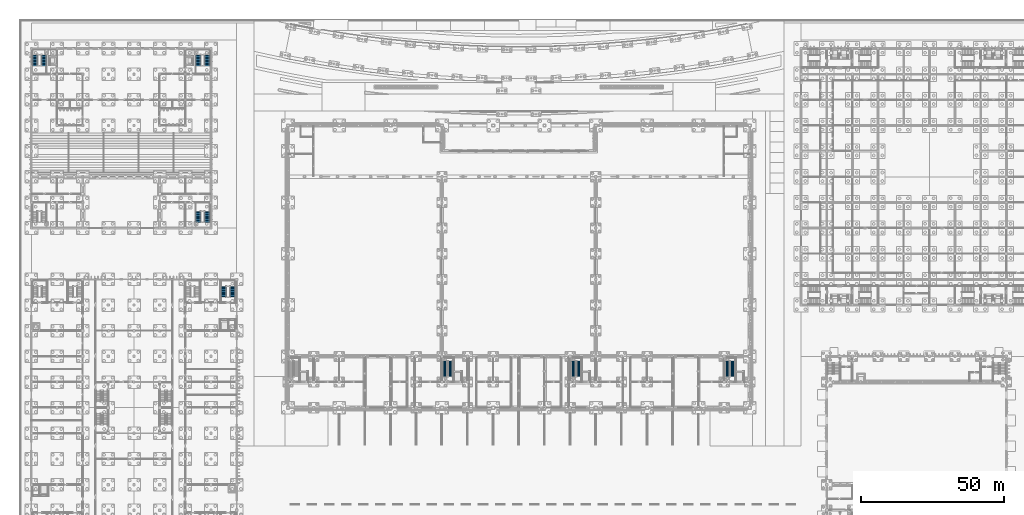
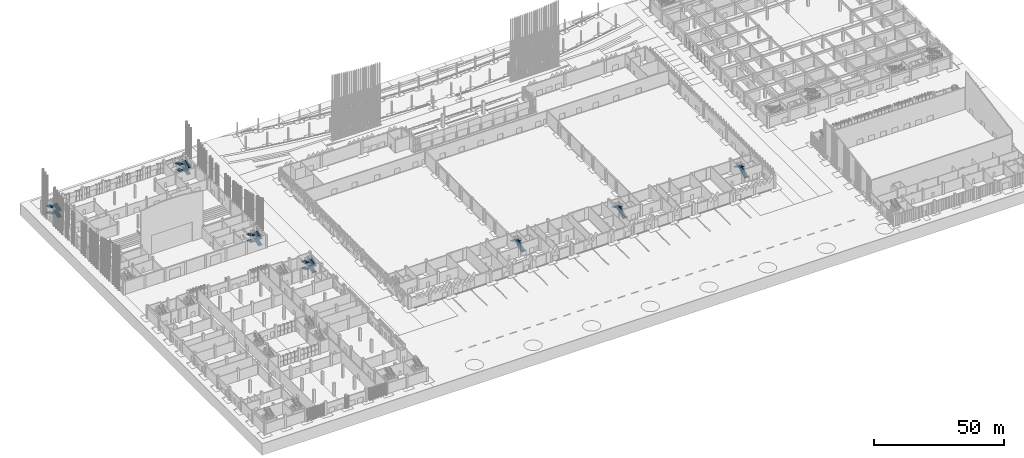
# One storey, part 110 of 198: 22 stair flights, 7 elements without a shape of their own.
"""IFC4 building model written with IfcOpenShell, lengths in metres."""

from ifc_helpers import new_model, si_unit, direction, frame, origin, place, context, subcontext, project, spatial, polyline, outline, extrude, material, type_object, element, aggregate, save


model = new_model("IFC4")

# Units and contexts
model_context = context("Model", 3, precision=1e-05, world=origin(), true_north=direction((0.0, 1.0)))
body_context = subcontext(model_context, "Body", "Model", "MODEL_VIEW")
ifc_project = project(units=[si_unit("LENGTHUNIT", "METRE"), si_unit("AREAUNIT", "SQUARE_METRE"), si_unit("VOLUMEUNIT", "CUBIC_METRE"), si_unit("PLANEANGLEUNIT", "RADIAN"), si_unit("MASSUNIT", "GRAM", prefix="KILO")], contexts=[model_context])

# Site, building, storey
site_placement = place(None, origin())
site = spatial("IfcSite", under=ifc_project, at=site_placement, CompositionType="ELEMENT")
building_placement = place(site_placement, origin())
building = spatial("IfcBuilding", under=site, at=building_placement, Name="Opaline Strait Convention Centre", CompositionType="ELEMENT")
storey_placement = place(building_placement, origin())
storey = spatial("IfcBuildingStorey", under=building, at=storey_placement, Name="L00", CompositionType="ELEMENT", Elevation=0.0)

# Stair, stair flights
ifc_material = material(Name="Concrete C40", Category="concrete")
stair_type_1 = type_object("IfcStairType", Name="Core stair half turn 2400", PredefinedType="HALF_TURN_STAIR", material=ifc_material)
stair_1_placement = place(storey_placement, origin())
stair_1 = element("IfcStair", 1, at=stair_1_placement, inside=storey, type_object=stair_type_1, Name="L00 SE core stair", ObjectType="PST2", PredefinedType="HALF_TURN_STAIR")
stair_flight_type_1 = type_object("IfcStairFlightType", Name="Core stair flight 2400 precast", PredefinedType="STRAIGHT", material=ifc_material)
stair_flight_1_placement = place(storey_placement, frame((70.699951171875, 119.050048828125, 0.0), z_axis=(0.0, 0.0, 1.0), x_axis=(0.0, 1.0, 0.0)))
stair_flight_1 = element("IfcStairFlight", 2, at=stair_flight_1_placement, type_object=stair_flight_type_1, Name="PSR2 flight 1", ObjectType="PSF2", NumberOfRisers=10, NumberOfTreads=9, PredefinedType="STRAIGHT", RiserHeight=0.15, TreadLength=0.42, context=body_context, shape_type="SweptSolid", body=[
    extrude(outline(polyline([(0.0, 0.0), (0.0, 0.14990234375), (0.419921875, 0.14990234375), (0.419921875, 0.300048828125), (0.840087890625, 0.300048828125), (0.840087890625, 0.449951171875), (1.260009765625, 0.449951171875), (1.260009765625, 0.60009765625), (1.679931640625, 0.60009765625), (1.679931640625, 0.75), (2.10009765625, 0.75), (2.10009765625, 0.89990234375), (2.52001953125, 0.89990234375), (2.52001953125, 1.050048828125), (2.93994140625, 1.050048828125), (2.93994140625, 1.199951171875), (3.360107421875, 1.199951171875), (3.360107421875, 1.35009765625), (3.780029296875, 1.35009765625), (3.780029296875, 1.5), (3.780029296875, 1.19091796875), (0.44580078125, 0.0), (0.0, 0.0)])), frame((0.0, 0.89990234375, 0.0), z_axis=(0.0, -1.0, 0.0), x_axis=(1.0, 0.0, 0.0)), (0.0, 0.0, 1.0), 1.800048828125),
])
stair_flight_2_placement = place(storey_placement, frame((67.550048828125, 122.830078125, 1.5), z_axis=(0.0, 0.0, 1.0), x_axis=(0.0, -1.0, 0.0)))
stair_flight_2 = element("IfcStairFlight", 3, at=stair_flight_2_placement, type_object=stair_flight_type_1, Name="PSR2 flight 2", ObjectType="PSF2", NumberOfRisers=10, NumberOfTreads=9, PredefinedType="STRAIGHT", RiserHeight=0.15, TreadLength=0.42, context=body_context, shape_type="SweptSolid", body=[
    extrude(outline(polyline([(0.0, 0.0), (0.0, 0.14990234375), (0.419921875, 0.14990234375), (0.419921875, 0.300048828125), (0.840087890625, 0.300048828125), (0.840087890625, 0.449951171875), (1.260009765625, 0.449951171875), (1.260009765625, 0.60009765625), (1.679931640625, 0.60009765625), (1.679931640625, 0.75), (2.10009765625, 0.75), (2.10009765625, 0.89990234375), (2.52001953125, 0.89990234375), (2.52001953125, 1.050048828125), (2.93994140625, 1.050048828125), (2.93994140625, 1.199951171875), (3.360107421875, 1.199951171875), (3.360107421875, 1.35009765625), (3.780029296875, 1.35009765625), (3.780029296875, 1.5), (3.780029296875, 1.19091796875), (0.44580078125, 0.0), (0.0, 0.0)])), frame((0.0, 0.89990234375, 0.0), z_axis=(0.0, -1.0, 0.0), x_axis=(1.0, 0.0, 0.0)), (0.0, 0.0, 1.0), 1.800048828125),
])
stair_flight_3_placement = place(storey_placement, frame((70.699951171875, 119.050048828125, 3.0), z_axis=(0.0, 0.0, 1.0), x_axis=(0.0, 1.0, 0.0)))
stair_flight_3 = element("IfcStairFlight", 4, at=stair_flight_3_placement, type_object=stair_flight_type_1, Name="PSR2 flight 3", ObjectType="PSF2", NumberOfRisers=10, NumberOfTreads=9, PredefinedType="STRAIGHT", RiserHeight=0.15, TreadLength=0.42, context=body_context, shape_type="SweptSolid", body=[
    extrude(outline(polyline([(0.0, 0.0), (0.0, 0.14990234375), (0.419921875, 0.14990234375), (0.419921875, 0.300048828125), (0.840087890625, 0.300048828125), (0.840087890625, 0.449951171875), (1.260009765625, 0.449951171875), (1.260009765625, 0.60009765625), (1.679931640625, 0.60009765625), (1.679931640625, 0.75), (2.10009765625, 0.75), (2.10009765625, 0.89990234375), (2.52001953125, 0.89990234375), (2.52001953125, 1.050048828125), (2.93994140625, 1.050048828125), (2.93994140625, 1.199951171875), (3.360107421875, 1.199951171875), (3.360107421875, 1.35009765625), (3.780029296875, 1.35009765625), (3.780029296875, 1.5), (3.780029296875, 1.19091796875), (0.44580078125, 0.0), (0.0, 0.0)])), frame((0.0, 0.89990234375, 0.0), z_axis=(0.0, -1.0, 0.0), x_axis=(1.0, 0.0, 0.0)), (0.0, 0.0, 1.0), 1.800048828125),
])
stair_flight_4_placement = place(storey_placement, frame((67.550048828125, 122.830078125, 4.5), z_axis=(0.0, 0.0, 1.0), x_axis=(0.0, -1.0, 0.0)))
stair_flight_4 = element("IfcStairFlight", 5, at=stair_flight_4_placement, type_object=stair_flight_type_1, Name="PSR2 flight 4", ObjectType="PSF2", NumberOfRisers=10, NumberOfTreads=9, PredefinedType="STRAIGHT", RiserHeight=0.15, TreadLength=0.42, context=body_context, shape_type="SweptSolid", body=[
    extrude(outline(polyline([(0.0, 0.0), (0.0, 0.14990234375), (0.419921875, 0.14990234375), (0.419921875, 0.300048828125), (0.840087890625, 0.300048828125), (0.840087890625, 0.449951171875), (1.260009765625, 0.449951171875), (1.260009765625, 0.60009765625), (1.679931640625, 0.60009765625), (1.679931640625, 0.75), (2.10009765625, 0.75), (2.10009765625, 0.89990234375), (2.52001953125, 0.89990234375), (2.52001953125, 1.050048828125), (2.93994140625, 1.050048828125), (2.93994140625, 1.199951171875), (3.360107421875, 1.199951171875), (3.360107421875, 1.35009765625), (3.780029296875, 1.35009765625), (3.780029296875, 1.5), (3.780029296875, 1.19091796875), (0.44580078125, 0.0), (0.0, 0.0)])), frame((0.0, 0.89990234375, 0.0), z_axis=(0.0, -1.0, 0.0), x_axis=(1.0, 0.0, 0.0)), (0.0, 0.0, 1.0), 1.800048828125),
])
aggregate(stair_1, [stair_flight_1, stair_flight_2, stair_flight_3, stair_flight_4])

stair_2_placement = place(storey_placement, origin())
stair_2 = element("IfcStair", 6, at=stair_2_placement, inside=storey, type_object=stair_type_1, Name="L00 NW core stair", ObjectType="PST2", PredefinedType="HALF_TURN_STAIR")
stair_flight_5_placement = place(storey_placement, frame((13.449951171875, 173.949951171875, 0.0), z_axis=(0.0, 0.0, 1.0), x_axis=(0.0, 1.0, 0.0)))
stair_flight_5 = element("IfcStairFlight", 7, at=stair_flight_5_placement, type_object=stair_flight_type_1, Name="PSR3 flight 1", ObjectType="PSF2", NumberOfRisers=10, NumberOfTreads=9, PredefinedType="STRAIGHT", RiserHeight=0.15, TreadLength=0.42, context=body_context, shape_type="SweptSolid", body=[
    extrude(outline(polyline([(0.0, 0.0), (0.0, 0.14990234375), (0.419921875, 0.14990234375), (0.419921875, 0.300048828125), (0.840087890625, 0.300048828125), (0.840087890625, 0.449951171875), (1.260009765625, 0.449951171875), (1.260009765625, 0.60009765625), (1.679931640625, 0.60009765625), (1.679931640625, 0.75), (2.10009765625, 0.75), (2.10009765625, 0.89990234375), (2.52001953125, 0.89990234375), (2.52001953125, 1.050048828125), (2.93994140625, 1.050048828125), (2.93994140625, 1.199951171875), (3.360107421875, 1.199951171875), (3.360107421875, 1.35009765625), (3.780029296875, 1.35009765625), (3.780029296875, 1.5), (3.780029296875, 1.19091796875), (0.44580078125, 0.0), (0.0, 0.0)])), frame((0.0, 0.89990234375, 0.0), z_axis=(0.0, -1.0, 0.0), x_axis=(1.0, 0.0, 0.0)), (0.0, 0.0, 1.0), 1.800048828125),
])
stair_flight_6_placement = place(storey_placement, frame((10.300048828125, 177.72998046875, 1.5), z_axis=(0.0, 0.0, 1.0), x_axis=(0.0, -1.0, 0.0)))
stair_flight_6 = element("IfcStairFlight", 8, at=stair_flight_6_placement, type_object=stair_flight_type_1, Name="PSR3 flight 2", ObjectType="PSF2", NumberOfRisers=10, NumberOfTreads=9, PredefinedType="STRAIGHT", RiserHeight=0.15, TreadLength=0.42, context=body_context, shape_type="SweptSolid", body=[
    extrude(outline(polyline([(0.0, 0.0), (0.0, 0.14990234375), (0.419921875, 0.14990234375), (0.419921875, 0.300048828125), (0.840087890625, 0.300048828125), (0.840087890625, 0.449951171875), (1.260009765625, 0.449951171875), (1.260009765625, 0.60009765625), (1.679931640625, 0.60009765625), (1.679931640625, 0.75), (2.10009765625, 0.75), (2.10009765625, 0.89990234375), (2.52001953125, 0.89990234375), (2.52001953125, 1.050048828125), (2.93994140625, 1.050048828125), (2.93994140625, 1.199951171875), (3.360107421875, 1.199951171875), (3.360107421875, 1.35009765625), (3.780029296875, 1.35009765625), (3.780029296875, 1.5), (3.780029296875, 1.19091796875), (0.44580078125, 0.0), (0.0, 0.0)])), frame((0.0, 0.89990234375, 0.0), z_axis=(0.0, -1.0, 0.0), x_axis=(1.0, 0.0, 0.0)), (0.0, 0.0, 1.0), 1.800048828125),
])
stair_flight_7_placement = place(storey_placement, frame((13.449951171875, 173.949951171875, 3.0), z_axis=(0.0, 0.0, 1.0), x_axis=(0.0, 1.0, 0.0)))
stair_flight_7 = element("IfcStairFlight", 9, at=stair_flight_7_placement, type_object=stair_flight_type_1, Name="PSR3 flight 3", ObjectType="PSF2", NumberOfRisers=10, NumberOfTreads=9, PredefinedType="STRAIGHT", RiserHeight=0.15, TreadLength=0.42, context=body_context, shape_type="SweptSolid", body=[
    extrude(outline(polyline([(0.0, 0.0), (0.0, 0.14990234375), (0.419921875, 0.14990234375), (0.419921875, 0.300048828125), (0.840087890625, 0.300048828125), (0.840087890625, 0.449951171875), (1.260009765625, 0.449951171875), (1.260009765625, 0.60009765625), (1.679931640625, 0.60009765625), (1.679931640625, 0.75), (2.10009765625, 0.75), (2.10009765625, 0.89990234375), (2.52001953125, 0.89990234375), (2.52001953125, 1.050048828125), (2.93994140625, 1.050048828125), (2.93994140625, 1.199951171875), (3.360107421875, 1.199951171875), (3.360107421875, 1.35009765625), (3.780029296875, 1.35009765625), (3.780029296875, 1.5), (3.780029296875, 1.19091796875), (0.44580078125, 0.0), (0.0, 0.0)])), frame((0.0, 0.89990234375, 0.0), z_axis=(0.0, -1.0, 0.0), x_axis=(1.0, 0.0, 0.0)), (0.0, 0.0, 1.0), 1.800048828125),
])
stair_flight_8_placement = place(storey_placement, frame((10.300048828125, 177.72998046875, 4.5), z_axis=(0.0, 0.0, 1.0), x_axis=(0.0, -1.0, 0.0)))
stair_flight_8 = element("IfcStairFlight", 10, at=stair_flight_8_placement, type_object=stair_flight_type_1, Name="PSR3 flight 4", ObjectType="PSF2", NumberOfRisers=10, NumberOfTreads=9, PredefinedType="STRAIGHT", RiserHeight=0.15, TreadLength=0.42, context=body_context, shape_type="SweptSolid", body=[
    extrude(outline(polyline([(0.0, 0.0), (0.0, 0.14990234375), (0.419921875, 0.14990234375), (0.419921875, 0.300048828125), (0.840087890625, 0.300048828125), (0.840087890625, 0.449951171875), (1.260009765625, 0.449951171875), (1.260009765625, 0.60009765625), (1.679931640625, 0.60009765625), (1.679931640625, 0.75), (2.10009765625, 0.75), (2.10009765625, 0.89990234375), (2.52001953125, 0.89990234375), (2.52001953125, 1.050048828125), (2.93994140625, 1.050048828125), (2.93994140625, 1.199951171875), (3.360107421875, 1.199951171875), (3.360107421875, 1.35009765625), (3.780029296875, 1.35009765625), (3.780029296875, 1.5), (3.780029296875, 1.19091796875), (0.44580078125, 0.0), (0.0, 0.0)])), frame((0.0, 0.89990234375, 0.0), z_axis=(0.0, -1.0, 0.0), x_axis=(1.0, 0.0, 0.0)), (0.0, 0.0, 1.0), 1.800048828125),
])
aggregate(stair_2, [stair_flight_5, stair_flight_6, stair_flight_7, stair_flight_8])

stair_3_placement = place(storey_placement, origin())
stair_3 = element("IfcStair", 11, at=stair_3_placement, inside=storey, type_object=stair_type_1, Name="L00 NE core stair", ObjectType="PST2", PredefinedType="HALF_TURN_STAIR")
stair_flight_9_placement = place(storey_placement, frame((70.699951171875, 173.949951171875, 0.0), z_axis=(0.0, 0.0, 1.0), x_axis=(0.0, 1.0, 0.0)))
stair_flight_9 = element("IfcStairFlight", 12, at=stair_flight_9_placement, type_object=stair_flight_type_1, Name="PSR4 flight 1", ObjectType="PSF2", NumberOfRisers=10, NumberOfTreads=9, PredefinedType="STRAIGHT", RiserHeight=0.15, TreadLength=0.42, context=body_context, shape_type="SweptSolid", body=[
    extrude(outline(polyline([(0.0, 0.0), (0.0, 0.14990234375), (0.419921875, 0.14990234375), (0.419921875, 0.300048828125), (0.840087890625, 0.300048828125), (0.840087890625, 0.449951171875), (1.260009765625, 0.449951171875), (1.260009765625, 0.60009765625), (1.679931640625, 0.60009765625), (1.679931640625, 0.75), (2.10009765625, 0.75), (2.10009765625, 0.89990234375), (2.52001953125, 0.89990234375), (2.52001953125, 1.050048828125), (2.93994140625, 1.050048828125), (2.93994140625, 1.199951171875), (3.360107421875, 1.199951171875), (3.360107421875, 1.35009765625), (3.780029296875, 1.35009765625), (3.780029296875, 1.5), (3.780029296875, 1.19091796875), (0.44580078125, 0.0), (0.0, 0.0)])), frame((0.0, 0.89990234375, 0.0), z_axis=(0.0, -1.0, 0.0), x_axis=(1.0, 0.0, 0.0)), (0.0, 0.0, 1.0), 1.800048828125),
])
stair_flight_10_placement = place(storey_placement, frame((67.550048828125, 177.72998046875, 1.5), z_axis=(0.0, 0.0, 1.0), x_axis=(0.0, -1.0, 0.0)))
stair_flight_10 = element("IfcStairFlight", 13, at=stair_flight_10_placement, type_object=stair_flight_type_1, Name="PSR4 flight 2", ObjectType="PSF2", NumberOfRisers=10, NumberOfTreads=9, PredefinedType="STRAIGHT", RiserHeight=0.15, TreadLength=0.42, context=body_context, shape_type="SweptSolid", body=[
    extrude(outline(polyline([(0.0, 0.0), (0.0, 0.14990234375), (0.419921875, 0.14990234375), (0.419921875, 0.300048828125), (0.840087890625, 0.300048828125), (0.840087890625, 0.449951171875), (1.260009765625, 0.449951171875), (1.260009765625, 0.60009765625), (1.679931640625, 0.60009765625), (1.679931640625, 0.75), (2.10009765625, 0.75), (2.10009765625, 0.89990234375), (2.52001953125, 0.89990234375), (2.52001953125, 1.050048828125), (2.93994140625, 1.050048828125), (2.93994140625, 1.199951171875), (3.360107421875, 1.199951171875), (3.360107421875, 1.35009765625), (3.780029296875, 1.35009765625), (3.780029296875, 1.5), (3.780029296875, 1.19091796875), (0.44580078125, 0.0), (0.0, 0.0)])), frame((0.0, 0.89990234375, 0.0), z_axis=(0.0, -1.0, 0.0), x_axis=(1.0, 0.0, 0.0)), (0.0, 0.0, 1.0), 1.800048828125),
])
stair_flight_11_placement = place(storey_placement, frame((70.699951171875, 173.949951171875, 3.0), z_axis=(0.0, 0.0, 1.0), x_axis=(0.0, 1.0, 0.0)))
stair_flight_11 = element("IfcStairFlight", 14, at=stair_flight_11_placement, type_object=stair_flight_type_1, Name="PSR4 flight 3", ObjectType="PSF2", NumberOfRisers=10, NumberOfTreads=9, PredefinedType="STRAIGHT", RiserHeight=0.15, TreadLength=0.42, context=body_context, shape_type="SweptSolid", body=[
    extrude(outline(polyline([(0.0, 0.0), (0.0, 0.14990234375), (0.419921875, 0.14990234375), (0.419921875, 0.300048828125), (0.840087890625, 0.300048828125), (0.840087890625, 0.449951171875), (1.260009765625, 0.449951171875), (1.260009765625, 0.60009765625), (1.679931640625, 0.60009765625), (1.679931640625, 0.75), (2.10009765625, 0.75), (2.10009765625, 0.89990234375), (2.52001953125, 0.89990234375), (2.52001953125, 1.050048828125), (2.93994140625, 1.050048828125), (2.93994140625, 1.199951171875), (3.360107421875, 1.199951171875), (3.360107421875, 1.35009765625), (3.780029296875, 1.35009765625), (3.780029296875, 1.5), (3.780029296875, 1.19091796875), (0.44580078125, 0.0), (0.0, 0.0)])), frame((0.0, 0.89990234375, 0.0), z_axis=(0.0, -1.0, 0.0), x_axis=(1.0, 0.0, 0.0)), (0.0, 0.0, 1.0), 1.800048828125),
])
stair_flight_12_placement = place(storey_placement, frame((67.550048828125, 177.72998046875, 4.5), z_axis=(0.0, 0.0, 1.0), x_axis=(0.0, -1.0, 0.0)))
stair_flight_12 = element("IfcStairFlight", 15, at=stair_flight_12_placement, type_object=stair_flight_type_1, Name="PSR4 flight 4", ObjectType="PSF2", NumberOfRisers=10, NumberOfTreads=9, PredefinedType="STRAIGHT", RiserHeight=0.15, TreadLength=0.42, context=body_context, shape_type="SweptSolid", body=[
    extrude(outline(polyline([(0.0, 0.0), (0.0, 0.14990234375), (0.419921875, 0.14990234375), (0.419921875, 0.300048828125), (0.840087890625, 0.300048828125), (0.840087890625, 0.449951171875), (1.260009765625, 0.449951171875), (1.260009765625, 0.60009765625), (1.679931640625, 0.60009765625), (1.679931640625, 0.75), (2.10009765625, 0.75), (2.10009765625, 0.89990234375), (2.52001953125, 0.89990234375), (2.52001953125, 1.050048828125), (2.93994140625, 1.050048828125), (2.93994140625, 1.199951171875), (3.360107421875, 1.199951171875), (3.360107421875, 1.35009765625), (3.780029296875, 1.35009765625), (3.780029296875, 1.5), (3.780029296875, 1.19091796875), (0.44580078125, 0.0), (0.0, 0.0)])), frame((0.0, 0.89990234375, 0.0), z_axis=(0.0, -1.0, 0.0), x_axis=(1.0, 0.0, 0.0)), (0.0, 0.0, 1.0), 1.800048828125),
])
aggregate(stair_3, [stair_flight_9, stair_flight_10, stair_flight_11, stair_flight_12])

stair_type_2 = type_object("IfcStairType", Name="Exit stair dogleg 1800", PredefinedType="HALF_TURN_STAIR", material=ifc_material)
stair_4_placement = place(storey_placement, origin())
stair_4 = element("IfcStair", 16, at=stair_4_placement, inside=storey, type_object=stair_type_2, Name="L00 Strip stair 2", ObjectType="XST", PredefinedType="HALF_TURN_STAIR")
stair_flight_type_2 = type_object("IfcStairFlightType", Name="Stair flight 1800 C40", PredefinedType="STRAIGHT", material=ifc_material)
stair_flight_13_placement = place(storey_placement, frame((156.050048828125, 64.949951171875, 0.0), z_axis=(0.0, 0.0, 1.0), x_axis=(0.0, 1.0, 0.0)))
stair_flight_13 = element("IfcStairFlight", 17, at=stair_flight_13_placement, type_object=stair_flight_type_2, Name="XST2 flight 1", ObjectType="RSF1", NumberOfRisers=19, NumberOfTreads=18, PredefinedType="STRAIGHT", RiserHeight=0.157894737, TreadLength=0.3, context=body_context, shape_type="SweptSolid", body=[
    extrude(outline(polyline([(0.0, 0.0), (0.0, 0.157958984375), (0.300048828125, 0.157958984375), (0.300048828125, 0.315673828125), (0.60009765625, 0.315673828125), (0.60009765625, 0.4736328125), (0.89990234375, 0.4736328125), (0.89990234375, 0.631591796875), (1.199951171875, 0.631591796875), (1.199951171875, 0.78955078125), (1.5, 0.78955078125), (1.5, 0.947265625), (1.800048828125, 0.947265625), (1.800048828125, 1.105224609375), (2.10009765625, 1.105224609375), (2.10009765625, 1.26318359375), (2.39990234375, 1.26318359375), (2.39990234375, 1.421142578125), (2.699951171875, 1.421142578125), (2.699951171875, 1.578857421875), (3.0, 1.578857421875), (3.0, 1.73681640625), (3.300048828125, 1.73681640625), (3.300048828125, 1.894775390625), (3.60009765625, 1.894775390625), (3.60009765625, 2.052734375), (3.89990234375, 2.052734375), (3.89990234375, 2.21044921875), (4.199951171875, 2.21044921875), (4.199951171875, 2.368408203125), (4.5, 2.368408203125), (4.5, 2.5263671875), (4.800048828125, 2.5263671875), (4.800048828125, 2.684326171875), (5.10009765625, 2.684326171875), (5.10009765625, 2.842041015625), (5.39990234375, 2.842041015625), (5.39990234375, 3.0), (5.39990234375, 2.672607421875), (0.32177734375, 0.0), (0.0, 0.0)])), frame((0.0, 0.89990234375, 0.0), z_axis=(0.0, -1.0, 0.0), x_axis=(1.0, 0.0, 0.0)), (0.0, 0.0, 1.0), 1.800048828125),
])
stair_flight_14_placement = place(storey_placement, frame((154.10009765625, 70.35009765625, 3.0), z_axis=(0.0, 0.0, 1.0), x_axis=(0.0, -1.0, 0.0)))
stair_flight_14 = element("IfcStairFlight", 18, at=stair_flight_14_placement, type_object=stair_flight_type_2, Name="XST2 flight 2", ObjectType="RSF1", NumberOfRisers=19, NumberOfTreads=18, PredefinedType="STRAIGHT", RiserHeight=0.157894737, TreadLength=0.3, context=body_context, shape_type="SweptSolid", body=[
    extrude(outline(polyline([(0.0, 0.0), (0.0, 0.157958984375), (0.300048828125, 0.157958984375), (0.300048828125, 0.315673828125), (0.60009765625, 0.315673828125), (0.60009765625, 0.4736328125), (0.89990234375, 0.4736328125), (0.89990234375, 0.631591796875), (1.199951171875, 0.631591796875), (1.199951171875, 0.78955078125), (1.5, 0.78955078125), (1.5, 0.947265625), (1.800048828125, 0.947265625), (1.800048828125, 1.105224609375), (2.10009765625, 1.105224609375), (2.10009765625, 1.26318359375), (2.39990234375, 1.26318359375), (2.39990234375, 1.421142578125), (2.699951171875, 1.421142578125), (2.699951171875, 1.578857421875), (3.0, 1.578857421875), (3.0, 1.73681640625), (3.300048828125, 1.73681640625), (3.300048828125, 1.894775390625), (3.60009765625, 1.894775390625), (3.60009765625, 2.052734375), (3.89990234375, 2.052734375), (3.89990234375, 2.21044921875), (4.199951171875, 2.21044921875), (4.199951171875, 2.368408203125), (4.5, 2.368408203125), (4.5, 2.5263671875), (4.800048828125, 2.5263671875), (4.800048828125, 2.684326171875), (5.10009765625, 2.684326171875), (5.10009765625, 2.842041015625), (5.39990234375, 2.842041015625), (5.39990234375, 3.0), (5.39990234375, 2.672607421875), (0.32177734375, 0.0), (0.0, 0.0)])), frame((0.0, 0.89990234375, 0.0), z_axis=(0.0, -1.0, 0.0), x_axis=(1.0, 0.0, 0.0)), (0.0, 0.0, 1.0), 1.800048828125),
])
aggregate(stair_4, [stair_flight_13, stair_flight_14])

stair_5_placement = place(storey_placement, origin())
stair_5 = element("IfcStair", 19, at=stair_5_placement, inside=storey, type_object=stair_type_2, Name="L00 Strip stair 3", ObjectType="XST", PredefinedType="HALF_TURN_STAIR")
stair_flight_15_placement = place(storey_placement, frame((201.050048828125, 64.949951171875, 0.0), z_axis=(0.0, 0.0, 1.0), x_axis=(0.0, 1.0, 0.0)))
stair_flight_15 = element("IfcStairFlight", 20, at=stair_flight_15_placement, type_object=stair_flight_type_2, Name="XST3 flight 1", ObjectType="RSF1", NumberOfRisers=19, NumberOfTreads=18, PredefinedType="STRAIGHT", RiserHeight=0.157894737, TreadLength=0.3, context=body_context, shape_type="SweptSolid", body=[
    extrude(outline(polyline([(0.0, 0.0), (0.0, 0.157958984375), (0.300048828125, 0.157958984375), (0.300048828125, 0.315673828125), (0.60009765625, 0.315673828125), (0.60009765625, 0.4736328125), (0.89990234375, 0.4736328125), (0.89990234375, 0.631591796875), (1.199951171875, 0.631591796875), (1.199951171875, 0.78955078125), (1.5, 0.78955078125), (1.5, 0.947265625), (1.800048828125, 0.947265625), (1.800048828125, 1.105224609375), (2.10009765625, 1.105224609375), (2.10009765625, 1.26318359375), (2.39990234375, 1.26318359375), (2.39990234375, 1.421142578125), (2.699951171875, 1.421142578125), (2.699951171875, 1.578857421875), (3.0, 1.578857421875), (3.0, 1.73681640625), (3.300048828125, 1.73681640625), (3.300048828125, 1.894775390625), (3.60009765625, 1.894775390625), (3.60009765625, 2.052734375), (3.89990234375, 2.052734375), (3.89990234375, 2.21044921875), (4.199951171875, 2.21044921875), (4.199951171875, 2.368408203125), (4.5, 2.368408203125), (4.5, 2.5263671875), (4.800048828125, 2.5263671875), (4.800048828125, 2.684326171875), (5.10009765625, 2.684326171875), (5.10009765625, 2.842041015625), (5.39990234375, 2.842041015625), (5.39990234375, 3.0), (5.39990234375, 2.672607421875), (0.32177734375, 0.0), (0.0, 0.0)])), frame((0.0, 0.89990234375, 0.0), z_axis=(0.0, -1.0, 0.0), x_axis=(1.0, 0.0, 0.0)), (0.0, 0.0, 1.0), 1.800048828125),
])
stair_flight_16_placement = place(storey_placement, frame((199.10009765625, 70.35009765625, 3.0), z_axis=(0.0, 0.0, 1.0), x_axis=(0.0, -1.0, 0.0)))
stair_flight_16 = element("IfcStairFlight", 21, at=stair_flight_16_placement, type_object=stair_flight_type_2, Name="XST3 flight 2", ObjectType="RSF1", NumberOfRisers=19, NumberOfTreads=18, PredefinedType="STRAIGHT", RiserHeight=0.157894737, TreadLength=0.3, context=body_context, shape_type="SweptSolid", body=[
    extrude(outline(polyline([(0.0, 0.0), (0.0, 0.157958984375), (0.300048828125, 0.157958984375), (0.300048828125, 0.315673828125), (0.60009765625, 0.315673828125), (0.60009765625, 0.4736328125), (0.89990234375, 0.4736328125), (0.89990234375, 0.631591796875), (1.199951171875, 0.631591796875), (1.199951171875, 0.78955078125), (1.5, 0.78955078125), (1.5, 0.947265625), (1.800048828125, 0.947265625), (1.800048828125, 1.105224609375), (2.10009765625, 1.105224609375), (2.10009765625, 1.26318359375), (2.39990234375, 1.26318359375), (2.39990234375, 1.421142578125), (2.699951171875, 1.421142578125), (2.699951171875, 1.578857421875), (3.0, 1.578857421875), (3.0, 1.73681640625), (3.300048828125, 1.73681640625), (3.300048828125, 1.894775390625), (3.60009765625, 1.894775390625), (3.60009765625, 2.052734375), (3.89990234375, 2.052734375), (3.89990234375, 2.21044921875), (4.199951171875, 2.21044921875), (4.199951171875, 2.368408203125), (4.5, 2.368408203125), (4.5, 2.5263671875), (4.800048828125, 2.5263671875), (4.800048828125, 2.684326171875), (5.10009765625, 2.684326171875), (5.10009765625, 2.842041015625), (5.39990234375, 2.842041015625), (5.39990234375, 3.0), (5.39990234375, 2.672607421875), (0.32177734375, 0.0), (0.0, 0.0)])), frame((0.0, 0.89990234375, 0.0), z_axis=(0.0, -1.0, 0.0), x_axis=(1.0, 0.0, 0.0)), (0.0, 0.0, 1.0), 1.800048828125),
])
aggregate(stair_5, [stair_flight_15, stair_flight_16])

stair_6_placement = place(storey_placement, origin())
stair_6 = element("IfcStair", 22, at=stair_6_placement, inside=storey, type_object=stair_type_2, Name="L00 Strip stair 4", ObjectType="XST", PredefinedType="HALF_TURN_STAIR")
stair_flight_17_placement = place(storey_placement, frame((255.050048828125, 64.949951171875, 0.0), z_axis=(0.0, 0.0, 1.0), x_axis=(0.0, 1.0, 0.0)))
stair_flight_17 = element("IfcStairFlight", 23, at=stair_flight_17_placement, type_object=stair_flight_type_2, Name="XST4 flight 1", ObjectType="RSF1", NumberOfRisers=19, NumberOfTreads=18, PredefinedType="STRAIGHT", RiserHeight=0.157894737, TreadLength=0.3, context=body_context, shape_type="SweptSolid", body=[
    extrude(outline(polyline([(0.0, 0.0), (0.0, 0.157958984375), (0.300048828125, 0.157958984375), (0.300048828125, 0.315673828125), (0.60009765625, 0.315673828125), (0.60009765625, 0.4736328125), (0.89990234375, 0.4736328125), (0.89990234375, 0.631591796875), (1.199951171875, 0.631591796875), (1.199951171875, 0.78955078125), (1.5, 0.78955078125), (1.5, 0.947265625), (1.800048828125, 0.947265625), (1.800048828125, 1.105224609375), (2.10009765625, 1.105224609375), (2.10009765625, 1.26318359375), (2.39990234375, 1.26318359375), (2.39990234375, 1.421142578125), (2.699951171875, 1.421142578125), (2.699951171875, 1.578857421875), (3.0, 1.578857421875), (3.0, 1.73681640625), (3.300048828125, 1.73681640625), (3.300048828125, 1.894775390625), (3.60009765625, 1.894775390625), (3.60009765625, 2.052734375), (3.89990234375, 2.052734375), (3.89990234375, 2.21044921875), (4.199951171875, 2.21044921875), (4.199951171875, 2.368408203125), (4.5, 2.368408203125), (4.5, 2.5263671875), (4.800048828125, 2.5263671875), (4.800048828125, 2.684326171875), (5.10009765625, 2.684326171875), (5.10009765625, 2.842041015625), (5.39990234375, 2.842041015625), (5.39990234375, 3.0), (5.39990234375, 2.672607421875), (0.32177734375, 0.0), (0.0, 0.0)])), frame((0.0, 0.89990234375, 0.0), z_axis=(0.0, -1.0, 0.0), x_axis=(1.0, 0.0, 0.0)), (0.0, 0.0, 1.0), 1.800048828125),
])
stair_flight_18_placement = place(storey_placement, frame((253.10009765625, 70.35009765625, 3.0), z_axis=(0.0, 0.0, 1.0), x_axis=(0.0, -1.0, 0.0)))
stair_flight_18 = element("IfcStairFlight", 24, at=stair_flight_18_placement, type_object=stair_flight_type_2, Name="XST4 flight 2", ObjectType="RSF1", NumberOfRisers=19, NumberOfTreads=18, PredefinedType="STRAIGHT", RiserHeight=0.157894737, TreadLength=0.3, context=body_context, shape_type="SweptSolid", body=[
    extrude(outline(polyline([(0.0, 0.0), (0.0, 0.157958984375), (0.300048828125, 0.157958984375), (0.300048828125, 0.315673828125), (0.60009765625, 0.315673828125), (0.60009765625, 0.4736328125), (0.89990234375, 0.4736328125), (0.89990234375, 0.631591796875), (1.199951171875, 0.631591796875), (1.199951171875, 0.78955078125), (1.5, 0.78955078125), (1.5, 0.947265625), (1.800048828125, 0.947265625), (1.800048828125, 1.105224609375), (2.10009765625, 1.105224609375), (2.10009765625, 1.26318359375), (2.39990234375, 1.26318359375), (2.39990234375, 1.421142578125), (2.699951171875, 1.421142578125), (2.699951171875, 1.578857421875), (3.0, 1.578857421875), (3.0, 1.73681640625), (3.300048828125, 1.73681640625), (3.300048828125, 1.894775390625), (3.60009765625, 1.894775390625), (3.60009765625, 2.052734375), (3.89990234375, 2.052734375), (3.89990234375, 2.21044921875), (4.199951171875, 2.21044921875), (4.199951171875, 2.368408203125), (4.5, 2.368408203125), (4.5, 2.5263671875), (4.800048828125, 2.5263671875), (4.800048828125, 2.684326171875), (5.10009765625, 2.684326171875), (5.10009765625, 2.842041015625), (5.39990234375, 2.842041015625), (5.39990234375, 3.0), (5.39990234375, 2.672607421875), (0.32177734375, 0.0), (0.0, 0.0)])), frame((0.0, 0.89990234375, 0.0), z_axis=(0.0, -1.0, 0.0), x_axis=(1.0, 0.0, 0.0)), (0.0, 0.0, 1.0), 1.800048828125),
])
aggregate(stair_6, [stair_flight_17, stair_flight_18])

stair_type_3 = type_object("IfcStairType", Name="Exit stair two flights 1800 C40", PredefinedType="HALF_TURN_STAIR", material=ifc_material)
stair_7_placement = place(storey_placement, origin())
stair_7 = element("IfcStair", 25, at=stair_7_placement, inside=storey, type_object=stair_type_3, Name="L00 NEA", ObjectType="RST1", PredefinedType="HALF_TURN_STAIR")
stair_flight_19_placement = place(storey_placement, frame((79.60009765625, 92.800048828125, 0.0), z_axis=(0.0, 0.0, 1.0), x_axis=(0.0, 1.0, 0.0)))
stair_flight_19 = element("IfcStairFlight", 26, at=stair_flight_19_placement, type_object=stair_flight_type_2, Name="NEA flight 1", ObjectType="RSF1", NumberOfRisers=10, NumberOfTreads=9, PredefinedType="STRAIGHT", RiserHeight=0.15, TreadLength=0.42, context=body_context, shape_type="SweptSolid", body=[
    extrude(outline(polyline([(0.0, 0.0), (0.0, 0.14990234375), (0.419921875, 0.14990234375), (0.419921875, 0.300048828125), (0.840087890625, 0.300048828125), (0.840087890625, 0.449951171875), (1.260009765625, 0.449951171875), (1.260009765625, 0.60009765625), (1.679931640625, 0.60009765625), (1.679931640625, 0.75), (2.10009765625, 0.75), (2.10009765625, 0.89990234375), (2.52001953125, 0.89990234375), (2.52001953125, 1.050048828125), (2.93994140625, 1.050048828125), (2.93994140625, 1.199951171875), (3.360107421875, 1.199951171875), (3.360107421875, 1.35009765625), (3.780029296875, 1.35009765625), (3.780029296875, 1.5), (3.780029296875, 1.19091796875), (0.44580078125, 0.0), (0.0, 0.0)])), frame((0.0, 0.89990234375, 0.0), z_axis=(0.0, -1.0, 0.0), x_axis=(1.0, 0.0, 0.0)), (0.0, 0.0, 1.0), 1.800048828125),
])
stair_flight_20_placement = place(storey_placement, frame((76.449951171875, 96.580078125, 1.5), z_axis=(0.0, 0.0, 1.0), x_axis=(0.0, -1.0, 0.0)))
stair_flight_20 = element("IfcStairFlight", 27, at=stair_flight_20_placement, type_object=stair_flight_type_2, Name="NEA flight 2", ObjectType="RSF1", NumberOfRisers=10, NumberOfTreads=9, PredefinedType="STRAIGHT", RiserHeight=0.15, TreadLength=0.42, context=body_context, shape_type="SweptSolid", body=[
    extrude(outline(polyline([(0.0, 0.0), (0.0, 0.14990234375), (0.419921875, 0.14990234375), (0.419921875, 0.300048828125), (0.840087890625, 0.300048828125), (0.840087890625, 0.449951171875), (1.260009765625, 0.449951171875), (1.260009765625, 0.60009765625), (1.679931640625, 0.60009765625), (1.679931640625, 0.75), (2.10009765625, 0.75), (2.10009765625, 0.89990234375), (2.52001953125, 0.89990234375), (2.52001953125, 1.050048828125), (2.93994140625, 1.050048828125), (2.93994140625, 1.199951171875), (3.360107421875, 1.199951171875), (3.360107421875, 1.35009765625), (3.780029296875, 1.35009765625), (3.780029296875, 1.5), (3.780029296875, 1.19091796875), (0.44580078125, 0.0), (0.0, 0.0)])), frame((0.0, 0.89990234375, 0.0), z_axis=(0.0, -1.0, 0.0), x_axis=(1.0, 0.0, 0.0)), (0.0, 0.0, 1.0), 1.800048828125),
])
stair_flight_21_placement = place(storey_placement, frame((79.60009765625, 92.800048828125, 3.0), z_axis=(0.0, 0.0, 1.0), x_axis=(0.0, 1.0, 0.0)))
stair_flight_21 = element("IfcStairFlight", 28, at=stair_flight_21_placement, type_object=stair_flight_type_2, Name="NEA flight 3", ObjectType="RSF1", NumberOfRisers=10, NumberOfTreads=9, PredefinedType="STRAIGHT", RiserHeight=0.15, TreadLength=0.42, context=body_context, shape_type="SweptSolid", body=[
    extrude(outline(polyline([(0.0, 0.0), (0.0, 0.14990234375), (0.419921875, 0.14990234375), (0.419921875, 0.300048828125), (0.840087890625, 0.300048828125), (0.840087890625, 0.449951171875), (1.260009765625, 0.449951171875), (1.260009765625, 0.60009765625), (1.679931640625, 0.60009765625), (1.679931640625, 0.75), (2.10009765625, 0.75), (2.10009765625, 0.89990234375), (2.52001953125, 0.89990234375), (2.52001953125, 1.050048828125), (2.93994140625, 1.050048828125), (2.93994140625, 1.199951171875), (3.360107421875, 1.199951171875), (3.360107421875, 1.35009765625), (3.780029296875, 1.35009765625), (3.780029296875, 1.5), (3.780029296875, 1.19091796875), (0.44580078125, 0.0), (0.0, 0.0)])), frame((0.0, 0.89990234375, 0.0), z_axis=(0.0, -1.0, 0.0), x_axis=(1.0, 0.0, 0.0)), (0.0, 0.0, 1.0), 1.800048828125),
])
stair_flight_22_placement = place(storey_placement, frame((76.449951171875, 96.580078125, 4.5), z_axis=(0.0, 0.0, 1.0), x_axis=(0.0, -1.0, 0.0)))
stair_flight_22 = element("IfcStairFlight", 29, at=stair_flight_22_placement, type_object=stair_flight_type_2, Name="NEA flight 4", ObjectType="RSF1", NumberOfRisers=10, NumberOfTreads=9, PredefinedType="STRAIGHT", RiserHeight=0.15, TreadLength=0.42, context=body_context, shape_type="SweptSolid", body=[
    extrude(outline(polyline([(0.0, 0.0), (0.0, 0.14990234375), (0.419921875, 0.14990234375), (0.419921875, 0.300048828125), (0.840087890625, 0.300048828125), (0.840087890625, 0.449951171875), (1.260009765625, 0.449951171875), (1.260009765625, 0.60009765625), (1.679931640625, 0.60009765625), (1.679931640625, 0.75), (2.10009765625, 0.75), (2.10009765625, 0.89990234375), (2.52001953125, 0.89990234375), (2.52001953125, 1.050048828125), (2.93994140625, 1.050048828125), (2.93994140625, 1.199951171875), (3.360107421875, 1.199951171875), (3.360107421875, 1.35009765625), (3.780029296875, 1.35009765625), (3.780029296875, 1.5), (3.780029296875, 1.19091796875), (0.44580078125, 0.0), (0.0, 0.0)])), frame((0.0, 0.89990234375, 0.0), z_axis=(0.0, -1.0, 0.0), x_axis=(1.0, 0.0, 0.0)), (0.0, 0.0, 1.0), 1.800048828125),
])
aggregate(stair_7, [stair_flight_19, stair_flight_20, stair_flight_21, stair_flight_22])

save(model, "model.ifc")
